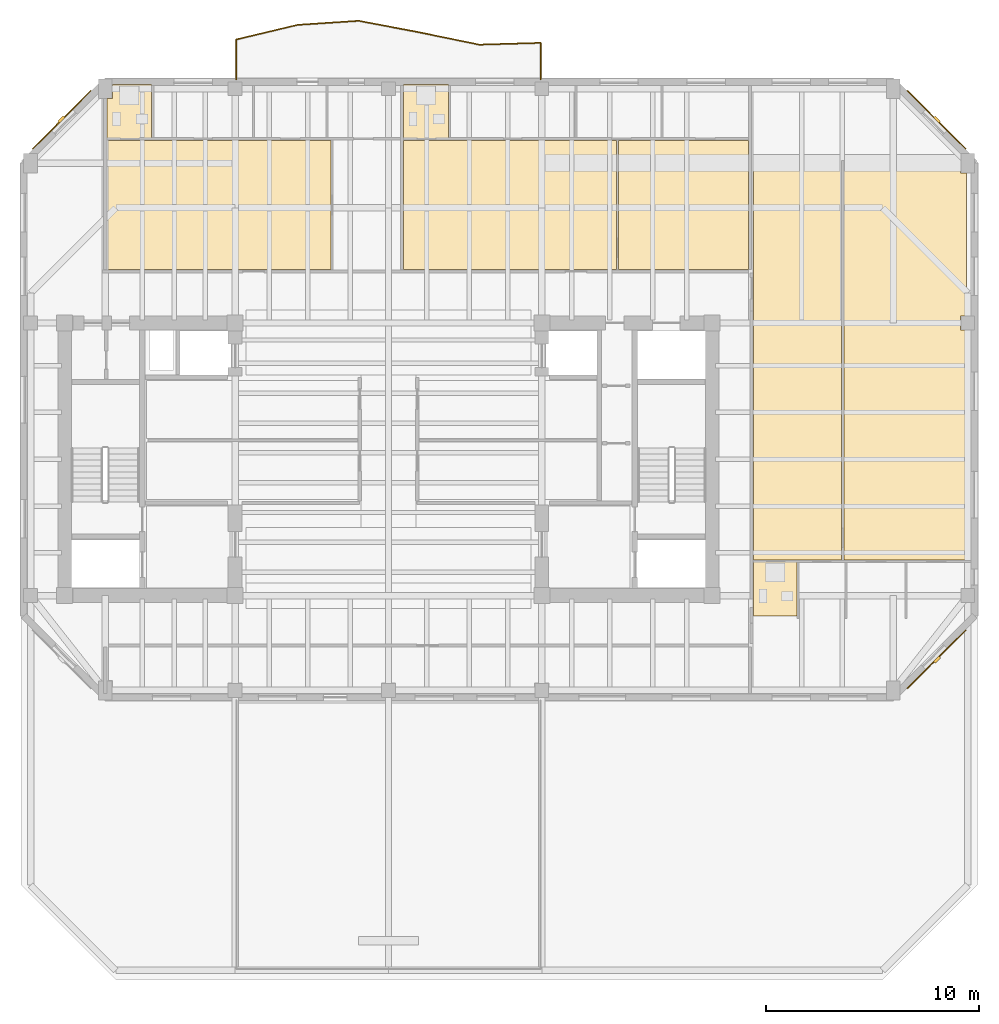
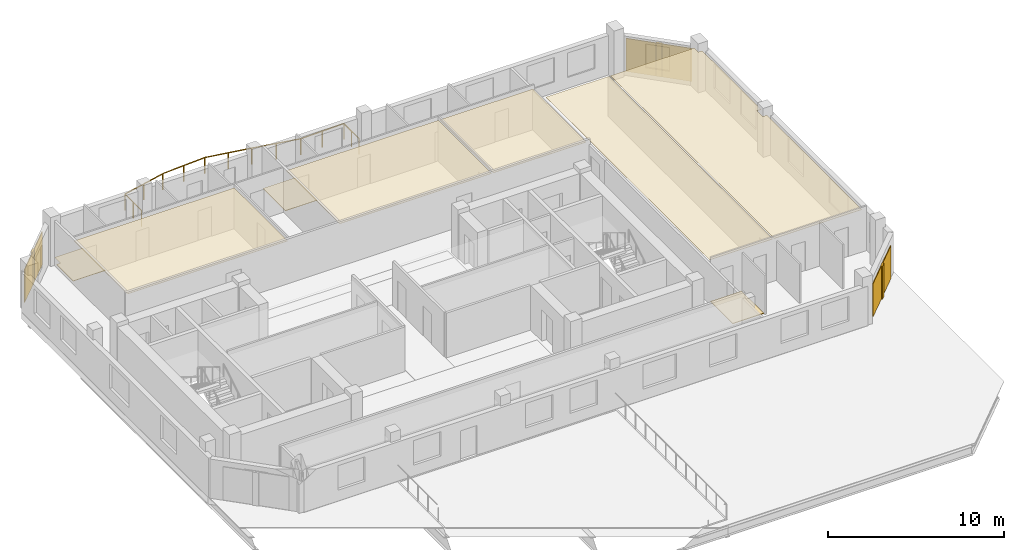
# One storey, part 9 of 10: 11 coverings, 3 shading devices, 1 railing.
"""IFC4 building model written with IfcOpenShell, lengths in metres."""

from ifc_helpers import new_model, si_unit, direction, frame, origin, origin_2d, place, context, subcontext, project, spatial, polyline, rectangle, circle, outline, extrude, material, layer, layer_set, type_object, element, save


model = new_model("IFC4")

# Units and contexts
model_context = context("Model", 3, precision=1e-05, world=origin(), true_north=direction((0.0, 1.0)))
body_context = subcontext(model_context, "Body", "Model", "MODEL_VIEW")
ifc_project = project(units=[si_unit("LENGTHUNIT", "METRE"), si_unit("AREAUNIT", "SQUARE_METRE"), si_unit("VOLUMEUNIT", "CUBIC_METRE"), si_unit("PLANEANGLEUNIT", "RADIAN"), si_unit("MASSUNIT", "GRAM", prefix="KILO")], contexts=[model_context])

# Site, building, storey
site_placement = place(None, origin())
site = spatial("IfcSite", under=ifc_project, at=site_placement, CompositionType="ELEMENT")
building_placement = place(site_placement, origin())
building = spatial("IfcBuilding", under=site, at=building_placement, Name="Kranthara Brick Stack", CompositionType="ELEMENT")
storey_placement = place(building_placement, frame((0.0, 0.0, 248.300048828125)))
storey = spatial("IfcBuildingStorey", under=building, at=storey_placement, Name="L65", CompositionType="ELEMENT", Elevation=248.300048828125)

# Coverings
ifc_material_1 = material(Name="Perforated mineral-fibre acoustic ceiling tile", Category="other")
ifc_layer_1 = layer(ifc_material_1, 0.02490234375)
ifc_layer_set_1 = layer_set([ifc_layer_1], Name="Perforated mineral-fibre acoustic ceiling tile")
covering_type_1 = type_object("IfcCoveringType", Name="COV-CEIL-ACOUSTIC", PredefinedType="CEILING", material=ifc_layer_set_1)
covering_1_placement = place(storey_placement, frame((0.0, 0.0, 2.829833984375)))
element("IfcCovering", 1, at=covering_1_placement, inside=storey, type_object=covering_type_1, Name="L65 Unit L65A 3-Bed Apartment Living Dining Acoustic Ceiling", PredefinedType="CEILING", context=body_context, shape_type="SweptSolid", body=[
    extrude(outline(polyline([(25.299072265625, 36.10009765625), (25.299072265625, 42.169921875), (14.780029296875, 42.169921875), (14.780029296875, 36.10009765625), (25.299072265625, 36.10009765625)])), origin(), (0.0, 0.0, 1.0), 0.025146484375),
])
covering_2_placement = place(storey_placement, frame((0.0, 0.0, 2.829833984375)))
element("IfcCovering", 2, at=covering_2_placement, inside=storey, type_object=covering_type_1, Name="L65 Unit L65B 2-Bed Apartment Living Dining Acoustic Ceiling", PredefinedType="CEILING", context=body_context, shape_type="SweptSolid", body=[
    extrude(outline(polyline([(38.697021484375, 36.10009765625), (38.697021484375, 42.169921875), (28.708984375, 42.169921875), (28.708984375, 36.10009765625), (38.697021484375, 36.10009765625)])), origin(), (0.0, 0.0, 1.0), 0.025146484375),
])
covering_3_placement = place(storey_placement, frame((0.0, 0.0, 2.829833984375)))
element("IfcCovering", 3, at=covering_3_placement, inside=storey, type_object=covering_type_1, Name="L65 Unit L65B Private Study Room Acoustic Ceiling", PredefinedType="CEILING", context=body_context, shape_type="SweptSolid", body=[
    extrude(outline(polyline([(44.89990234375, 36.10009765625), (44.89990234375, 42.169921875), (38.797119140625, 42.169921875), (38.797119140625, 36.10009765625), (44.89990234375, 36.10009765625)])), origin(), (0.0, 0.0, 1.0), 0.025146484375),
])
covering_4_placement = place(storey_placement, frame((0.0, 0.0, 2.829833984375)))
element("IfcCovering", 4, at=covering_4_placement, inside=storey, type_object=covering_type_1, Name="L65 Unit L65C 2-Bed Apartment Living Dining Acoustic Ceiling", PredefinedType="CEILING", context=body_context, shape_type="SweptSolid", body=[
    extrude(outline(polyline([(49.279052734375, 22.47998046875), (49.279052734375, 41.10009765625), (45.139892578125, 41.10009765625), (45.139892578125, 22.47998046875), (49.279052734375, 22.47998046875)])), origin(), (0.0, 0.0, 1.0), 0.025146484375),
])
covering_5_placement = place(storey_placement, frame((0.0, 0.0, 2.829833984375)))
element("IfcCovering", 5, at=covering_5_placement, inside=storey, type_object=covering_type_1, Name="L65 Unit L65C Private Study Room Acoustic Ceiling", PredefinedType="CEILING", context=body_context, shape_type="SweptSolid", body=[
    extrude(outline(polyline([(49.37890625, 22.47998046875), (49.37890625, 41.10009765625), (54.864990234375, 41.10009765625), (54.864990234375, 40.639892578125), (55.1298828125, 40.639892578125), (55.1298828125, 33.93505859375), (54.864990234375, 33.93505859375), (54.864990234375, 33.264892578125), (55.1298828125, 33.264892578125), (55.1298828125, 22.47998046875), (49.37890625, 22.47998046875)])), origin(), (0.0, 0.0, 1.0), 0.025146484375),
])
ifc_material_2 = material(Name="Warm buff kiln-fired brick slip rainscreen", Category="masonry")
ifc_layer_2 = layer(ifc_material_2, 0.044921875)
ifc_layer_set_2 = layer_set([ifc_layer_2], Name="Warm buff kiln-fired brick slip rainscreen")
covering_type_2 = type_object("IfcCoveringType", Name="COV-CLAD-BRICK", PredefinedType="CLADDING", material=ifc_layer_set_2)
for number, where, z_axis, x_axis, name in (
    (6, (12.66259765625, 43.13720703125, 0.0498046875), (0.0, 0.0, 1.0), (0.707106781187, 0.707106781187, 0.0), "L65 Chamfer Brick Rainscreen Cladding NW"),
    (7, (53.7373046875, 43.13720703125, 0.0498046875), (0.0, 0.0, 1.0), (0.707106781187, -0.707106781187, 0.0), "L65 Chamfer Brick Rainscreen Cladding NE"),
    (8, (53.7373046875, 17.812744140625, 0.0498046875), (0.0, 0.0, 1.0), (-0.707106781187, -0.707106781187, 0.0), "L65 Chamfer Brick Rainscreen Cladding SE"),
):
    element("IfcCovering", number, at=place(storey_placement, frame(where, z_axis=z_axis, x_axis=x_axis)), inside=storey, type_object=covering_type_2, Name=name, PredefinedType="CLADDING", context=body_context, shape_type="SweptSolid", body=[
        extrude(rectangle(XDim=3.889892578125, YDim=0.044921875, at=origin_2d()), origin(), (0.0, 0.0, 1.0), 2.300048828125),
    ])
ifc_material_3 = material(Name="Honed terrazzo and porcelain floor finish", Category="stone")
ifc_layer_3 = layer(ifc_material_3, 0.030029296875)
ifc_layer_set_3 = layer_set([ifc_layer_3], Name="Honed terrazzo and porcelain floor finish")
covering_type_3 = type_object("IfcCoveringType", Name="COV-FLOR-STONE", PredefinedType="FLOORING", material=ifc_layer_set_3)
covering_6_placement = place(storey_placement, origin())
element("IfcCovering", 9, at=covering_6_placement, inside=storey, type_object=covering_type_3, Name="L65 Wet Room Porcelain Flooring", PredefinedType="FLOORING", context=body_context, shape_type="SweptSolid", body=[
    extrude(outline(polyline([(16.8798828125, 44.800048828125), (16.8798828125, 42.25), (14.780029296875, 42.25), (14.780029296875, 44.139892578125), (15.034912109375, 44.139892578125), (15.034912109375, 44.800048828125), (16.8798828125, 44.800048828125)])), origin(), (0.0, 0.0, 1.0), 0.030029296875),
])
covering_7_placement = place(storey_placement, origin())
element("IfcCovering", 10, at=covering_7_placement, inside=storey, type_object=covering_type_3, Name="L65 Wet Room Porcelain Flooring", PredefinedType="FLOORING", context=body_context, shape_type="SweptSolid", body=[
    extrude(outline(polyline([(30.80908203125, 42.25), (30.80908203125, 44.800048828125), (28.708984375, 44.800048828125), (28.708984375, 42.25), (30.80908203125, 42.25)])), origin(), (0.0, 0.0, 1.0), 0.030029296875),
])
covering_8_placement = place(storey_placement, origin())
element("IfcCovering", 11, at=covering_8_placement, inside=storey, type_object=covering_type_3, Name="L65 Wet Room Porcelain Flooring", PredefinedType="FLOORING", context=body_context, shape_type="SweptSolid", body=[
    extrude(outline(polyline([(47.174072265625, 19.85009765625), (47.174072265625, 22.39990234375), (45.139892578125, 22.39990234375), (45.139892578125, 19.85009765625), (47.174072265625, 19.85009765625)])), origin(), (0.0, 0.0, 1.0), 0.030029296875),
])

# Railing
ifc_material_4 = material(Name="Bronze anodised aluminium and laminated glass balustrade", Category="aluminium")
railing_type = type_object("IfcRailingType", Name="RL-BALC-1120", PredefinedType="BALUSTRADE", material=ifc_material_4)
railing_placement = place(storey_placement, frame((20.860107421875, 45.0400390625, 0.0)))
element("IfcRailing", 12, at=railing_placement, inside=storey, type_object=railing_type, Name="L65 North Rippling Balcony Balustrade", PredefinedType="BALUSTRADE", context=body_context, shape_type="SweptSolid", body=[
    extrude(circle(Radius=0.02392578125, at=origin_2d()), frame((0.0, 0.0, 1.09619140625), z_axis=(0.0, 1.0, 0.0), x_axis=(-1.0, 0.0, 0.0)), (0.0, 0.0, 1.0), 1.870361328125),
    extrude(circle(Radius=0.02392578125, at=origin_2d()), frame((0.0, 1.870361328125, 1.09619140625), z_axis=(0.972585381514, 0.232546072136, 0.0), x_axis=(-0.232546072136, 0.972585381514, 0.0)), (0.0, 0.0, 1.0), 2.95947265625),
    extrude(circle(Radius=0.02392578125, at=origin_2d()), frame((2.87841796875, 2.55859375, 1.09619140625), z_axis=(0.997858948744, 0.065402740086, 0.0), x_axis=(-0.065402740086, 0.997858948744, 0.0)), (0.0, 0.0, 1.0), 2.874267578125),
    extrude(circle(Radius=0.02392578125, at=origin_2d()), frame((5.74658203125, 2.74658203125, 1.09619140625), z_axis=(0.982475077383, -0.186393997546, 0.0), x_axis=(0.186393997546, 0.982475077383, 0.0)), (0.0, 0.0, 1.0), 2.827880859375),
    extrude(circle(Radius=0.02392578125, at=origin_2d()), frame((8.52490234375, 2.219482421875, 1.09619140625), z_axis=(0.9795304254, -0.201296164187, 0.0), x_axis=(0.201296164187, 0.9795304254, 0.0)), (0.0, 0.0, 1.0), 2.93505859375),
    extrude(circle(Radius=0.02392578125, at=origin_2d()), frame((11.39990234375, 1.628662109375, 1.09619140625), z_axis=(0.999572574769, 0.029234701449, 0.0), x_axis=(-0.029234701449, 0.999572574769, 0.0)), (0.0, 0.0, 1.0), 2.881103515625),
    extrude(circle(Radius=0.02392578125, at=origin_2d()), frame((14.27978515625, 1.712890625, 1.09619140625), z_axis=(0.0, -1.0, 0.0), x_axis=(1.0, 0.0, 0.0)), (0.0, 0.0, 1.0), 1.712890625),
    extrude(circle(Radius=0.02099609375, at=origin_2d()), origin(), (0.0, 0.0, 1.0), 1.072021484375),
    extrude(circle(Radius=0.02099609375, at=origin_2d()), frame((0.0, 0.93505859375, 0.0)), (0.0, 0.0, 1.0), 1.072021484375),
    extrude(circle(Radius=0.02099609375, at=origin_2d()), frame((0.0, 1.870361328125, 0.0)), (0.0, 0.0, 1.0), 1.072021484375),
    extrude(circle(Radius=0.02099609375, at=origin_2d()), frame((1.439208984375, 2.21435546875, 0.0)), (0.0, 0.0, 1.0), 1.072021484375),
    extrude(circle(Radius=0.02099609375, at=origin_2d()), frame((2.87841796875, 2.55859375, 0.0)), (0.0, 0.0, 1.0), 1.072021484375),
    extrude(circle(Radius=0.02099609375, at=origin_2d()), frame((4.3125, 2.652587890625, 0.0)), (0.0, 0.0, 1.0), 1.072021484375),
    extrude(circle(Radius=0.02099609375, at=origin_2d()), frame((5.74658203125, 2.74658203125, 0.0)), (0.0, 0.0, 1.0), 1.072021484375),
    extrude(circle(Radius=0.02099609375, at=origin_2d()), frame((7.1357421875, 2.48291015625, 0.0)), (0.0, 0.0, 1.0), 1.072021484375),
    extrude(circle(Radius=0.02099609375, at=origin_2d()), frame((8.52490234375, 2.219482421875, 0.0)), (0.0, 0.0, 1.0), 1.072021484375),
    extrude(circle(Radius=0.02099609375, at=origin_2d()), frame((9.96240234375, 1.924072265625, 0.0)), (0.0, 0.0, 1.0), 1.072021484375),
    extrude(circle(Radius=0.02099609375, at=origin_2d()), frame((11.39990234375, 1.628662109375, 0.0)), (0.0, 0.0, 1.0), 1.072021484375),
    extrude(circle(Radius=0.02099609375, at=origin_2d()), frame((12.83984375, 1.6708984375, 0.0)), (0.0, 0.0, 1.0), 1.072021484375),
    extrude(circle(Radius=0.02099609375, at=origin_2d()), frame((14.27978515625, 1.712890625, 0.0)), (0.0, 0.0, 1.0), 1.072021484375),
    extrude(circle(Radius=0.02099609375, at=origin_2d()), frame((14.27978515625, 0.8564453125, 0.0)), (0.0, 0.0, 1.0), 1.072021484375),
    extrude(circle(Radius=0.02099609375, at=origin_2d()), frame((14.27978515625, 0.0, 0.0)), (0.0, 0.0, 1.0), 1.072021484375),
])

# Shading devices
ifc_material_5 = material(Name="Kiln-fired terracotta aerodynamic wind fin", Category="masonry")
shading_device_type = type_object("IfcShadingDeviceType", Name="SHD-BAFFLE-CORNER", PredefinedType="SHUTTER", material=ifc_material_5)
for number, where, z_axis, x_axis, name in (
    (13, (12.6416015625, 43.158447265625, 0.0498046875), (0.0, 0.0, 1.0), (0.707106781187, 0.707106781187, 0.0), "L65 Chamfer Wind-Baffle Fin NW"),
    (14, (53.758544921875, 43.158447265625, 0.0498046875), (0.0, 0.0, 1.0), (0.707106781187, -0.707106781187, 0.0), "L65 Chamfer Wind-Baffle Fin NE"),
    (15, (53.758544921875, 17.79150390625, 0.0498046875), (0.0, 0.0, 1.0), (-0.707106781187, -0.707106781187, 0.0), "L65 Chamfer Wind-Baffle Fin SE"),
):
    element("IfcShadingDevice", number, at=place(storey_placement, frame(where, z_axis=z_axis, x_axis=x_axis)), inside=storey, type_object=shading_device_type, Name=name, PredefinedType="SHUTTER", context=body_context, shape_type="SweptSolid", body=[
        extrude(rectangle(XDim=0.35009765625, YDim=0.1201171875, at=origin_2d()), origin(), (0.0, 0.0, 1.0), 2.300048828125),
    ])

save(model, "model.ifc")
